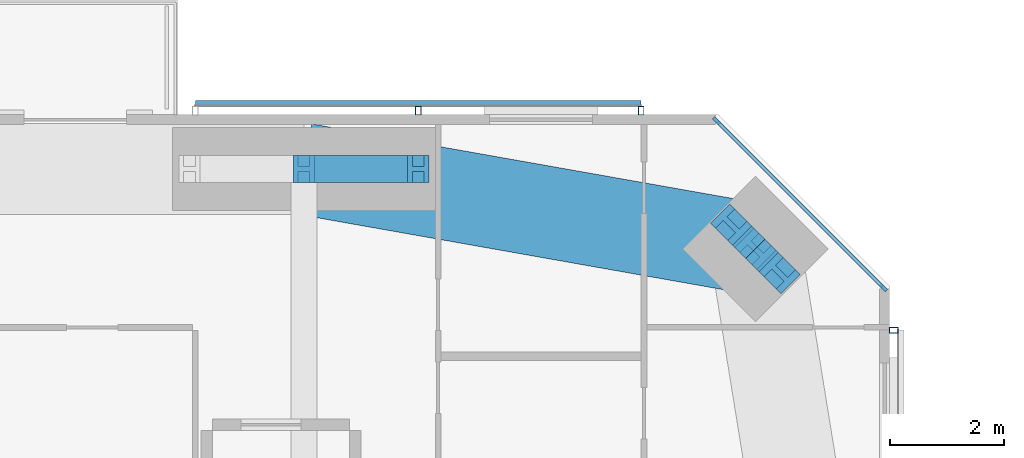
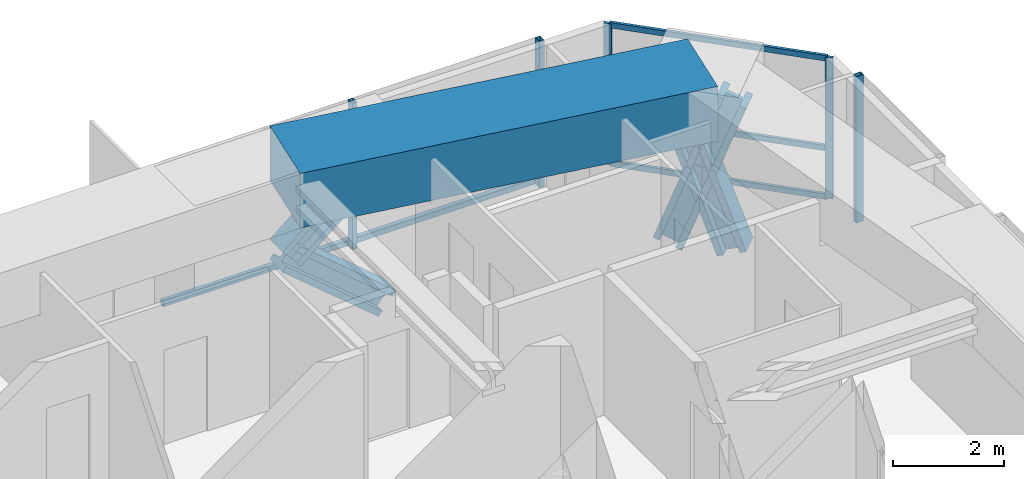
# One storey, part 13 of 23: 15 members, 1 beam, 3 elements without a shape of their own.
"""IFC4 building model written with IfcOpenShell, lengths in metres."""

from ifc_helpers import new_model, si_unit, direction, frame, origin, origin_2d, place, context, subcontext, project, spatial, rectangle, hollow_rectangle, i_section, extrude, material, material_profile, profile_set, type_object, element, aggregate, save


model = new_model("IFC4")

# Units and contexts
model_context = context("Model", 3, precision=1e-05, world=origin(), true_north=direction((0.0, 1.0)))
body_context = subcontext(model_context, "Body", "Model", "MODEL_VIEW")
ifc_project = project(units=[si_unit("LENGTHUNIT", "METRE"), si_unit("AREAUNIT", "SQUARE_METRE"), si_unit("VOLUMEUNIT", "CUBIC_METRE"), si_unit("PLANEANGLEUNIT", "RADIAN"), si_unit("MASSUNIT", "GRAM", prefix="KILO")], contexts=[model_context])

# Site, building, storey
site_placement = place(None, origin())
site = spatial("IfcSite", under=ifc_project, at=site_placement, CompositionType="ELEMENT")
building_placement = place(site_placement, origin())
building = spatial("IfcBuilding", under=site, at=building_placement, Name="Jalousie Tower", CompositionType="ELEMENT")
storey_placement = place(building_placement, frame((0.0, 0.0, 164.39990234375)))
storey = spatial("IfcBuildingStorey", under=building, at=storey_placement, Name="L44", CompositionType="ELEMENT", Elevation=164.39990234375)

# Curtain wall, members
ifc_material_1 = material(Name="Aluminium curtain wall", Category="aluminium")
curtain_wall_type_1 = type_object("IfcCurtainWallType", Name="CORNER WINDOW WALL", PredefinedType="USERDEFINED", material=ifc_material_1)
curtain_wall_1_placement = place(storey_placement, origin())
curtain_wall_1 = element("IfcCurtainWall", 1, at=curtain_wall_1_placement, inside=storey, type_object=curtain_wall_type_1, Name="Corner Window Wall L44 4", ObjectType="CORNER WINDOW WALL", PredefinedType="USERDEFINED")
ifc_material_2 = material(Name="Aluminium mullion", Category="aluminium")
ifc_material_profile_1 = material_profile(ifc_material_2, rectangle(XDim=0.06005859375, YDim=0.14990234375, at=origin_2d()), Name="MULLION 60x150")
ifc_profile_set_1 = profile_set([ifc_material_profile_1], Name="Aluminium mullion")
member_type_1 = type_object("IfcMemberType", Name="CORNER WINDOW WALL MULLION", PredefinedType="MULLION", material=ifc_profile_set_1)
member_1_placement = place(storey_placement, frame((52.891357421875, 32.969970703125, 0.0), z_axis=(0.0, 0.0, 1.0), x_axis=(-0.707106781187, -0.707106781187, 0.0)))
member_1 = element("IfcMember", 2, at=member_1_placement, type_object=member_type_1, Name="CW-C mullion 1", PredefinedType="MULLION", context=body_context, shape_type="SweptSolid", body=[
    extrude(rectangle(XDim=0.06005859375, YDim=0.14990234375, at=origin_2d()), origin(), (0.0, 0.0, 1.0), 3.110107421875),
])
member_2_placement = place(storey_placement, frame((49.969970703125, 35.891357421875, 0.0), z_axis=(0.0, 0.0, 1.0), x_axis=(-0.707106781187, -0.707106781187, 0.0)))
member_2 = element("IfcMember", 3, at=member_2_placement, type_object=member_type_1, Name="CW-C mullion 2", PredefinedType="MULLION", context=body_context, shape_type="SweptSolid", body=[
    extrude(rectangle(XDim=0.06005859375, YDim=0.14990234375, at=origin_2d()), origin(), (0.0, 0.0, 1.0), 3.110107421875),
])
ifc_material_3 = material(Name="Aluminium transom", Category="aluminium")
ifc_material_profile_2 = material_profile(ifc_material_3, rectangle(XDim=0.06005859375, YDim=0.1201171875, at=origin_2d()), Name="TRANSOM 60x120")
ifc_profile_set_2 = profile_set([ifc_material_profile_2], Name="Aluminium transom")
member_type_2 = type_object("IfcMemberType", Name="CORNER WINDOW WALL TRANSOM", PredefinedType="USERDEFINED", material=ifc_profile_set_2)
member_3_placement = place(storey_placement, frame((52.8701171875, 32.9912109375, 0.030029296875), z_axis=(-0.707106781187, 0.707106781187, 0.0), x_axis=(-0.707106781187, -0.707106781187, 0.0)))
member_3 = element("IfcMember", 4, at=member_3_placement, type_object=member_type_2, Name="CW-C transom 1.1", ObjectType="TRANSOM", PredefinedType="USERDEFINED", context=body_context, shape_type="SweptSolid", body=[
    extrude(rectangle(XDim=0.06005859375, YDim=0.1201171875, at=origin_2d()), origin(), (0.0, 0.0, 1.0), 4.0712890625),
])
member_4_placement = place(storey_placement, frame((52.8701171875, 32.9912109375, 1.10009765625), z_axis=(-0.707106781187, 0.707106781187, 0.0), x_axis=(-0.707106781187, -0.707106781187, 0.0)))
member_4 = element("IfcMember", 5, at=member_4_placement, type_object=member_type_2, Name="CW-C transom 1.2", ObjectType="TRANSOM", PredefinedType="USERDEFINED", context=body_context, shape_type="SweptSolid", body=[
    extrude(rectangle(XDim=0.06005859375, YDim=0.1201171875, at=origin_2d()), origin(), (0.0, 0.0, 1.0), 4.0712890625),
])
member_5_placement = place(storey_placement, frame((52.8701171875, 32.9912109375, 3.080078125), z_axis=(-0.707106781187, 0.707106781187, 0.0), x_axis=(-0.707106781187, -0.707106781187, 0.0)))
member_5 = element("IfcMember", 6, at=member_5_placement, type_object=member_type_2, Name="CW-C transom 1.3", ObjectType="TRANSOM", PredefinedType="USERDEFINED", context=body_context, shape_type="SweptSolid", body=[
    extrude(rectangle(XDim=0.06005859375, YDim=0.1201171875, at=origin_2d()), origin(), (0.0, 0.0, 1.0), 4.0712890625),
])
aggregate(curtain_wall_1, [member_1, member_2, member_3, member_4, member_5])

# Members
ifc_material_4 = material(Name="Steel ASTM A992 Grade 50", Category="steel")
ifc_material_profile_3 = material_profile(ifc_material_4, i_section(OverallWidth=0.472412109375, OverallDepth=0.5791015625, WebThickness=0.094970703125, FlangeThickness=0.1298828125, at=origin_2d()), Name="W14X808")
ifc_profile_set_3 = profile_set([ifc_material_profile_3], Name="Steel ASTM A992 Grade 50")
member_type_3 = type_object("IfcMemberType", Name="PERIMETER BRACE W14X808", PredefinedType="BRACE", material=ifc_profile_set_3)
member_6_placement = place(storey_placement, frame((51.07568359375, 33.227294921875, -0.599853515625), z_axis=(-0.238345540878, 0.238482757655, 0.941444303953), x_axis=(-0.707310235866, -0.706903267951, 0.0)))
element("IfcMember", 7, at=member_6_placement, inside=storey, type_object=member_type_3, Name="Perimeter brace 08 L44 part 1", PredefinedType="BRACE", context=body_context, shape_type="SweptSolid", body=[
    extrude(i_section(OverallWidth=0.472412109375, OverallDepth=0.5791015625, WebThickness=0.094970703125, FlangeThickness=0.1298828125, at=origin_2d()), origin(), (0.0, 0.0, 1.0), 1.779296875),
])
member_7_placement = place(storey_placement, frame((50.651611328125, 33.651611328125, 1.0751953125), z_axis=(-0.238513569048, 0.238376334543, 0.941428701766), x_axis=(-0.706903267951, -0.707310235866, 0.0)))
element("IfcMember", 8, at=member_7_placement, inside=storey, type_object=member_type_3, Name="Perimeter brace 08 L44 part 2", PredefinedType="BRACE", context=body_context, shape_type="SweptSolid", body=[
    extrude(i_section(OverallWidth=0.472412109375, OverallDepth=0.5791015625, WebThickness=0.094970703125, FlangeThickness=0.1298828125, at=origin_2d()), origin(), (0.0, 0.0, 1.0), 1.779052734375),
])
member_8_placement = place(storey_placement, frame((50.227294921875, 34.07568359375, -0.599853515625), z_axis=(0.238482757655, -0.238345540878, 0.941444303953), x_axis=(0.706903267951, 0.707310235866, 0.0)))
element("IfcMember", 9, at=member_8_placement, inside=storey, type_object=member_type_3, Name="Perimeter brace 08 L44 part 3", PredefinedType="BRACE", context=body_context, shape_type="SweptSolid", body=[
    extrude(i_section(OverallWidth=0.472412109375, OverallDepth=0.5791015625, WebThickness=0.094970703125, FlangeThickness=0.1298828125, at=origin_2d()), origin(), (0.0, 0.0, 1.0), 1.779296875),
])
member_9_placement = place(storey_placement, frame((50.651611328125, 33.651611328125, 1.0751953125), z_axis=(0.238376334543, -0.238513569048, 0.941428701766), x_axis=(0.707310235866, 0.706903267951, 0.0)))
element("IfcMember", 10, at=member_9_placement, inside=storey, type_object=member_type_3, Name="Perimeter brace 08 L44 part 4", PredefinedType="BRACE", context=body_context, shape_type="SweptSolid", body=[
    extrude(i_section(OverallWidth=0.472412109375, OverallDepth=0.5791015625, WebThickness=0.094970703125, FlangeThickness=0.1298828125, at=origin_2d()), origin(), (0.0, 0.0, 1.0), 1.779052734375),
])
member_10_placement = place(storey_placement, frame((42.75, 35.050048828125, 1.0751953125), z_axis=(0.766684820047, 0.0, 0.642023665225), x_axis=(0.0, 1.0, 0.0)))
element("IfcMember", 11, at=member_10_placement, inside=storey, type_object=member_type_3, Name="Perimeter brace 09 L44 part 2", PredefinedType="BRACE", context=body_context, shape_type="SweptSolid", body=[
    extrude(i_section(OverallWidth=0.472412109375, OverallDepth=0.5791015625, WebThickness=0.094970703125, FlangeThickness=0.1298828125, at=origin_2d()), origin(), (0.0, 0.0, 1.0), 2.608642578125),
])
member_11_placement = place(storey_placement, frame((44.75, 35.050048828125, -0.599853515625), z_axis=(-0.766638753323, 0.0, 0.642078672674), x_axis=(0.0, -1.0, 0.0)))
element("IfcMember", 12, at=member_11_placement, inside=storey, type_object=member_type_3, Name="Perimeter brace 09 L44 part 3", PredefinedType="BRACE", context=body_context, shape_type="SweptSolid", body=[
    extrude(i_section(OverallWidth=0.472412109375, OverallDepth=0.5791015625, WebThickness=0.094970703125, FlangeThickness=0.1298828125, at=origin_2d()), origin(), (0.0, 0.0, 1.0), 2.60888671875),
])

# Beam
ifc_material_5 = material(Name="Concrete f'c 40 MPa", Category="concrete")
ifc_material_profile_4 = material_profile(ifc_material_5, rectangle(XDim=1.60009765625, YDim=1.199951171875, at=origin_2d()), Name="RC 1600x1200")
ifc_profile_set_4 = profile_set([ifc_material_profile_4], Name="Concrete f'c 40 MPa")
beam_type = type_object("IfcBeamType", Name="RC BEAM 1600x1200", PredefinedType="BEAM", material=ifc_profile_set_4)
beam_placement = place(storey_placement, frame((50.651611328125, 33.651611328125, 2.75), z_axis=(-0.984697370688, 0.174273027632, 0.0), x_axis=(-0.174273027632, -0.984697370688, 0.0)))
element("IfcBeam", 13, at=beam_placement, inside=storey, type_object=beam_type, Name="Edge band beam 08-09 under L45", PredefinedType="BEAM", context=body_context, shape_type="SweptSolid", body=[
    extrude(rectangle(XDim=1.60009765625, YDim=1.199951171875, at=origin_2d()), origin(), (0.0, 0.0, 1.0), 8.0244140625),
])

# Curtain wall, member
ifc_material_6 = material(Name="Perforated aluminium sheet", Category="aluminium")
curtain_wall_type_2 = type_object("IfcCurtainWallType", Name="SOLAR SCREEN SS-1", PredefinedType="USERDEFINED", material=ifc_material_6)
curtain_wall_2_placement = place(storey_placement, origin())
curtain_wall_2 = element("IfcCurtainWall", 14, at=curtain_wall_2_placement, inside=storey, type_object=curtain_wall_type_2, Name="Solar screen L44", ObjectType="SOLAR SCREEN SS-1", PredefinedType="USERDEFINED")
ifc_material_7 = material(Name="Steel ASTM A500 Grade C", Category="steel")
ifc_material_profile_5 = material_profile(ifc_material_7, hollow_rectangle(XDim=0.1015625, YDim=0.15234375, WallThickness=0.00634765625, at=origin_2d()), Name="HSS6X4X1/4")
ifc_profile_set_5 = profile_set([ifc_material_profile_5], Name="Steel ASTM A500 Grade C")
member_type_4 = type_object("IfcMemberType", Name="SOLAR SCREEN SS-1 MULLION", PredefinedType="MULLION", material=ifc_profile_set_5)
member_12_placement = place(storey_placement, frame((53.0712890625, 32.228759765625, -0.119873046875), z_axis=(0.0, 0.0, 1.0), x_axis=(0.0, 1.0, 0.0)))
member_12 = element("IfcMember", 15, at=member_12_placement, type_object=member_type_4, Name="SS1 post 2", PredefinedType="MULLION", context=body_context, shape_type="SweptSolid", body=[
    extrude(hollow_rectangle(XDim=0.1015625, YDim=0.15234375, WallThickness=0.00634765625, at=origin_2d()), origin(), (0.0, 0.0, 1.0), 3.22998046875),
])
aggregate(curtain_wall_2, [member_12])

# Curtain wall, members
curtain_wall_3_placement = place(storey_placement, origin())
curtain_wall_3 = element("IfcCurtainWall", 16, at=curtain_wall_3_placement, inside=storey, type_object=curtain_wall_type_2, Name="Solar screen L44", ObjectType="SOLAR SCREEN SS-1", PredefinedType="USERDEFINED")
member_13_placement = place(storey_placement, frame((48.64990234375, 36.0712890625, -0.119873046875), z_axis=(0.0, 0.0, 1.0), x_axis=(-1.0, 0.0, 0.0)))
member_13 = element("IfcMember", 17, at=member_13_placement, type_object=member_type_4, Name="SS1 post 1", PredefinedType="MULLION", context=body_context, shape_type="SweptSolid", body=[
    extrude(hollow_rectangle(XDim=0.1015625, YDim=0.15234375, WallThickness=0.00634765625, at=origin_2d()), origin(), (0.0, 0.0, 1.0), 3.22998046875),
])
member_14_placement = place(storey_placement, frame((44.75, 36.0712890625, -0.119873046875), z_axis=(0.0, 0.0, 1.0), x_axis=(-1.0, 0.0, 0.0)))
member_14 = element("IfcMember", 18, at=member_14_placement, type_object=member_type_4, Name="SS1 post 2", PredefinedType="MULLION", context=body_context, shape_type="SweptSolid", body=[
    extrude(hollow_rectangle(XDim=0.1015625, YDim=0.15234375, WallThickness=0.00634765625, at=origin_2d()), origin(), (0.0, 0.0, 1.0), 3.22998046875),
])
ifc_material_8 = material(Name="Extruded aluminium screen rail", Category="aluminium")
ifc_material_profile_6 = material_profile(ifc_material_8, rectangle(XDim=0.1015625, YDim=0.1201171875, at=origin_2d()), Name="RAIL 102x120")
ifc_profile_set_6 = profile_set([ifc_material_profile_6], Name="Extruded aluminium screen rail")
member_type_5 = type_object("IfcMemberType", Name="SOLAR SCREEN SS-1 TRANSOM", PredefinedType="USERDEFINED", material=ifc_profile_set_6)
member_15_placement = place(storey_placement, frame((48.64990234375, 36.1982421875, -0.059814453125), z_axis=(-1.0, 0.0, 0.0), x_axis=(0.0, -1.0, 0.0)))
member_15 = element("IfcMember", 19, at=member_15_placement, type_object=member_type_5, Name="SS1 rail", ObjectType="TRANSOM", PredefinedType="USERDEFINED", context=body_context, shape_type="SweptSolid", body=[
    extrude(rectangle(XDim=0.1015625, YDim=0.1201171875, at=origin_2d()), origin(), (0.0, 0.0, 1.0), 7.7998046875),
])
aggregate(curtain_wall_3, [member_13, member_14, member_15])

save(model, "model.ifc")
